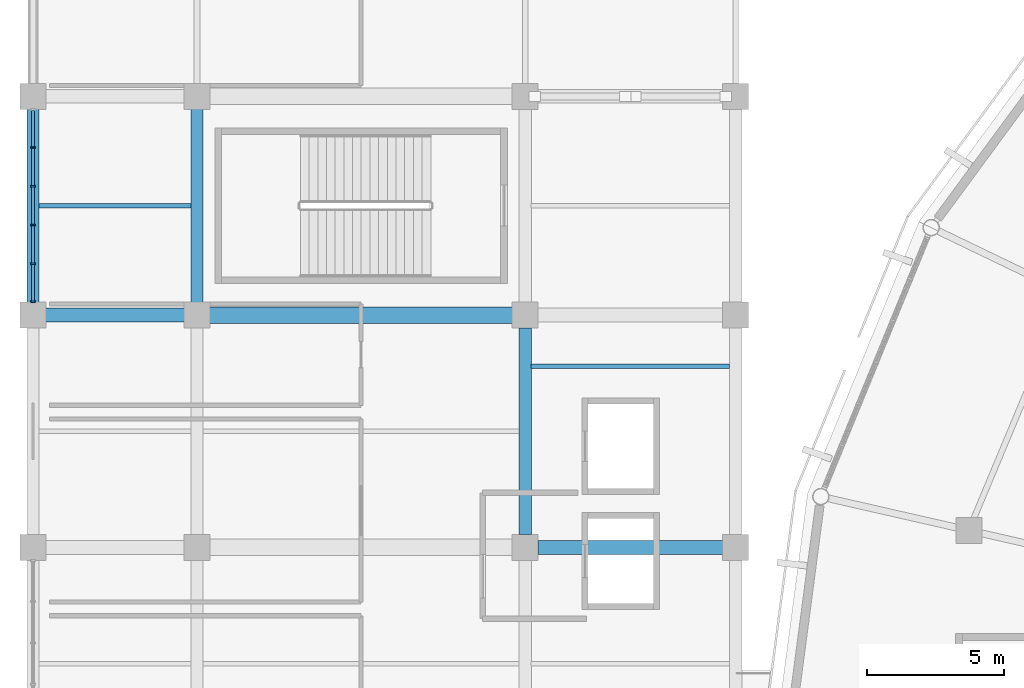
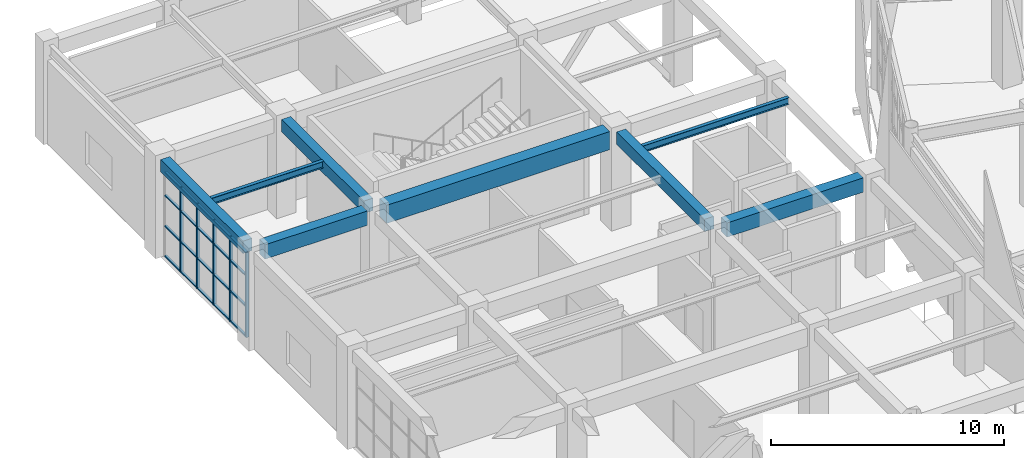
# One storey, part 33 of 120: 25 members, 8 beams, 1 element without a shape of its own.
"""IFC4 building model written with IfcOpenShell, lengths in metres."""

from ifc_helpers import new_model, si_unit, direction, frame, origin, origin_2d, place, context, subcontext, project, spatial, rectangle, i_section, extrude, material, material_profile, profile_set, type_object, element, aggregate, save


model = new_model("IFC4")

# Units and contexts
model_context = context("Model", 3, precision=1e-05, world=origin(), true_north=direction((0.0, 1.0)))
body_context = subcontext(model_context, "Body", "Model", "MODEL_VIEW")
ifc_project = project(units=[si_unit("LENGTHUNIT", "METRE"), si_unit("AREAUNIT", "SQUARE_METRE"), si_unit("VOLUMEUNIT", "CUBIC_METRE"), si_unit("PLANEANGLEUNIT", "RADIAN"), si_unit("MASSUNIT", "GRAM", prefix="KILO")], contexts=[model_context])

# Site, building, storey
site_placement = place(None, origin())
site = spatial("IfcSite", under=ifc_project, at=site_placement, CompositionType="ELEMENT")
building_placement = place(site_placement, origin())
building = spatial("IfcBuilding", under=site, at=building_placement, Name="Cuetzalor Civic Arena", CompositionType="ELEMENT")
storey_placement = place(building_placement, frame((0.0, 0.0, 6.0)))
storey = spatial("IfcBuildingStorey", under=building, at=storey_placement, Name="L01", CompositionType="ELEMENT", Elevation=6.0)

# Beams
ifc_material_1 = material(Name="Concrete C40/50", Category="concrete")
ifc_material_profile_1 = material_profile(ifc_material_1, rectangle(XDim=0.5, YDim=0.75, at=origin_2d()), Name="RC 500x750")
ifc_profile_set_1 = profile_set([ifc_material_profile_1], Name="Concrete C40/50")
beam_type_1 = type_object("IfcBeamType", Name="ConcreteFrameBeam_500x750", PredefinedType="BEAM", material=ifc_profile_set_1)
beam_1_placement = place(storey_placement, frame((-63.534912109375, 8.5, 4.7451171875), z_axis=(1.0, 0.0, 0.0), x_axis=(0.0, 1.0, 0.0)))
element("IfcBeam", 1, at=beam_1_placement, inside=storey, type_object=beam_type_1, Name="Frame Girder V4W-L01-X0371", PredefinedType="BEAM", context=body_context, shape_type="SweptSolid", body=[
    extrude(rectangle(XDim=0.5, YDim=0.75, at=origin_2d()), origin(), (0.0, 0.0, 1.0), 6.77001953125),
])
beam_2_placement = place(storey_placement, frame((-81.534912109375, 17.0, 4.7451171875), z_axis=(1.0, 0.0, 0.0), x_axis=(0.0, 1.0, 0.0)))
element("IfcBeam", 2, at=beam_2_placement, inside=storey, type_object=beam_type_1, Name="Frame Girder V4W-L01-X0372", PredefinedType="BEAM", context=body_context, shape_type="SweptSolid", body=[
    extrude(rectangle(XDim=0.5, YDim=0.75, at=origin_2d()), origin(), (0.0, 0.0, 1.0), 5.06982421875),
])
ifc_material_2 = material(Name="Concrete C40/50", Category="concrete")
ifc_material_profile_2 = material_profile(ifc_material_2, rectangle(XDim=0.60009765625, YDim=0.949951171875, at=origin_2d()), Name="RC 600x950")
ifc_profile_set_2 = profile_set([ifc_material_profile_2], Name="Concrete C40/50")
beam_type_2 = type_object("IfcBeamType", Name="ConcreteFrameBeam_600x950", PredefinedType="BEAM", material=ifc_profile_set_2)
beam_3_placement = place(storey_placement, frame((-75.534912109375, 17.0, 4.64501953125), z_axis=(1.0, 0.0, 0.0), x_axis=(0.0, 1.0, 0.0)))
element("IfcBeam", 3, at=beam_3_placement, inside=storey, type_object=beam_type_2, Name="Frame Girder V4W-L01-X0373", PredefinedType="BEAM", context=body_context, shape_type="SweptSolid", body=[
    extrude(rectangle(XDim=0.60009765625, YDim=0.949951171875, at=origin_2d()), origin(), (0.0, 0.0, 1.0), 11.06982421875),
])
ifc_material_3 = material(Name="Concrete C40/50", Category="concrete")
ifc_material_profile_3 = material_profile(ifc_material_3, rectangle(XDim=0.449951171875, YDim=0.64990234375, at=origin_2d()), Name="RC 450x650")
ifc_profile_set_3 = profile_set([ifc_material_profile_3], Name="Concrete C40/50")
beam_type_3 = type_object("IfcBeamType", Name="ConcreteTieBeam_450x650", PredefinedType="BEAM", material=ifc_profile_set_3)
for number, where, z_axis, x_axis, name in (
    (4, (-82.0, 17.465087890625, 4.794921875), (0.0, 1.0, 0.0), (-1.0, 0.0, 0.0), "Frame Girder V4W-L01-Y0389"),
    (5, (-76.0, 17.465087890625, 4.794921875), (0.0, 1.0, 0.0), (-1.0, 0.0, 0.0), "Frame Girder V4W-L01-Y0399"),
):
    element("IfcBeam", number, at=place(storey_placement, frame(where, z_axis=z_axis, x_axis=x_axis)), inside=storey, type_object=beam_type_3, Name=name, PredefinedType="BEAM", context=body_context, shape_type="SweptSolid", body=[
        extrude(rectangle(XDim=0.449951171875, YDim=0.64990234375, at=origin_2d()), origin(), (0.0, 0.0, 1.0), 7.06982421875),
    ])
beam_4_placement = place(storey_placement, frame((-64.0, 8.965087890625, 4.794921875), z_axis=(0.0, 1.0, 0.0), x_axis=(-1.0, 0.0, 0.0)))
element("IfcBeam", 6, at=beam_4_placement, inside=storey, type_object=beam_type_3, Name="Frame Girder V4W-L01-Y0408", PredefinedType="BEAM", context=body_context, shape_type="SweptSolid", body=[
    extrude(rectangle(XDim=0.449951171875, YDim=0.64990234375, at=origin_2d()), origin(), (0.0, 0.0, 1.0), 7.56982421875),
])

# Curtain wall, members
ifc_material_4 = material(Name="Anodised dark bronze aluminium and low-E solar glass", Category="aluminium")
curtain_wall_type = type_object("IfcCurtainWallType", Name="UnitisedCW_7100x4450", PredefinedType="USERDEFINED", material=ifc_material_4)
curtain_wall_placement = place(storey_placement, origin())
curtain_wall = element("IfcCurtainWall", 7, at=curtain_wall_placement, inside=storey, type_object=curtain_wall_type, Name="V4W Suite Viewing Curtain Wall L01-112", ObjectType="UNITISED CURTAIN WALL", PredefinedType="USERDEFINED")
ifc_material_5 = material(Name="Anodised dark bronze aluminium", Category="aluminium")
ifc_material_profile_4 = material_profile(ifc_material_5, rectangle(XDim=0.06494140625, YDim=0.14990234375, at=origin_2d()), Name="ALU MULLION 65x150")
ifc_profile_set_4 = profile_set([ifc_material_profile_4], Name="Anodised dark bronze aluminium")
member_type_1 = type_object("IfcMemberType", Name="CurtainWallMullion_60x150", PredefinedType="MULLION", material=ifc_profile_set_4)
member_1_placement = place(storey_placement, frame((-82.0, 17.489501953125, 0.0), z_axis=(0.0, 0.0, 1.0), x_axis=(0.0, 1.0, 0.0)))
member_1 = element("IfcMember", 8, at=member_1_placement, type_object=member_type_1, Name="CW-39 mullion 1", PredefinedType="MULLION", context=body_context, shape_type="SweptSolid", body=[
    extrude(rectangle(XDim=0.06494140625, YDim=0.14990234375, at=origin_2d()), origin(), (0.0, 0.0, 1.0), 4.4599609375),
])
member_2_placement = place(storey_placement, frame((-82.0, 18.874267578125, 0.0), z_axis=(0.0, 0.0, 1.0), x_axis=(0.0, 1.0, 0.0)))
member_2 = element("IfcMember", 9, at=member_2_placement, type_object=member_type_1, Name="CW-39 mullion 2", PredefinedType="MULLION", context=body_context, shape_type="SweptSolid", body=[
    extrude(rectangle(XDim=0.06494140625, YDim=0.14990234375, at=origin_2d()), origin(), (0.0, 0.0, 1.0), 4.4599609375),
])
member_3_placement = place(storey_placement, frame((-82.0, 20.29150390625, 0.0), z_axis=(0.0, 0.0, 1.0), x_axis=(0.0, 1.0, 0.0)))
member_3 = element("IfcMember", 10, at=member_3_placement, type_object=member_type_1, Name="CW-39 mullion 3", PredefinedType="MULLION", context=body_context, shape_type="SweptSolid", body=[
    extrude(rectangle(XDim=0.06494140625, YDim=0.14990234375, at=origin_2d()), origin(), (0.0, 0.0, 1.0), 4.4599609375),
])
member_4_placement = place(storey_placement, frame((-82.0, 21.70849609375, 0.0), z_axis=(0.0, 0.0, 1.0), x_axis=(0.0, 1.0, 0.0)))
member_4 = element("IfcMember", 11, at=member_4_placement, type_object=member_type_1, Name="CW-39 mullion 4", PredefinedType="MULLION", context=body_context, shape_type="SweptSolid", body=[
    extrude(rectangle(XDim=0.06494140625, YDim=0.14990234375, at=origin_2d()), origin(), (0.0, 0.0, 1.0), 4.4599609375),
])
member_5_placement = place(storey_placement, frame((-82.0, 23.125732421875, 0.0), z_axis=(0.0, 0.0, 1.0), x_axis=(0.0, 1.0, 0.0)))
member_5 = element("IfcMember", 12, at=member_5_placement, type_object=member_type_1, Name="CW-39 mullion 5", PredefinedType="MULLION", context=body_context, shape_type="SweptSolid", body=[
    extrude(rectangle(XDim=0.06494140625, YDim=0.14990234375, at=origin_2d()), origin(), (0.0, 0.0, 1.0), 4.4599609375),
])
ifc_material_6 = material(Name="Anodised dark bronze aluminium", Category="aluminium")
ifc_material_profile_5 = material_profile(ifc_material_6, rectangle(XDim=0.1201171875, YDim=0.06494140625, at=origin_2d()), Name="ALU TRANSOM 65x120")
ifc_profile_set_5 = profile_set([ifc_material_profile_5], Name="Anodised dark bronze aluminium")
member_type_2 = type_object("IfcMemberType", Name="CurtainWallTransom_60x120", PredefinedType="USERDEFINED", material=ifc_profile_set_5)
member_6_placement = place(storey_placement, frame((-82.0, 17.52197265625, 0.032470703125), z_axis=(0.0, 1.0, 0.0), x_axis=(-1.0, 0.0, 0.0)))
member_6 = element("IfcMember", 13, at=member_6_placement, type_object=member_type_2, Name="CW-39 transom 1.1", ObjectType="TRANSOM", PredefinedType="USERDEFINED", context=body_context, shape_type="SweptSolid", body=[
    extrude(rectangle(XDim=0.1201171875, YDim=0.06494140625, at=origin_2d()), origin(), (0.0, 0.0, 1.0), 1.31982421875),
])
member_7_placement = place(storey_placement, frame((-82.0, 17.52197265625, 1.60595703125), z_axis=(0.0, 1.0, 0.0), x_axis=(-1.0, 0.0, 0.0)))
member_7 = element("IfcMember", 14, at=member_7_placement, type_object=member_type_2, Name="CW-39 transom 1.2", ObjectType="TRANSOM", PredefinedType="USERDEFINED", context=body_context, shape_type="SweptSolid", body=[
    extrude(rectangle(XDim=0.1201171875, YDim=0.06494140625, at=origin_2d()), origin(), (0.0, 0.0, 1.0), 1.31982421875),
])
member_8_placement = place(storey_placement, frame((-82.0, 17.52197265625, 3.2109375), z_axis=(0.0, 1.0, 0.0), x_axis=(-1.0, 0.0, 0.0)))
member_8 = element("IfcMember", 15, at=member_8_placement, type_object=member_type_2, Name="CW-39 transom 1.3", ObjectType="TRANSOM", PredefinedType="USERDEFINED", context=body_context, shape_type="SweptSolid", body=[
    extrude(rectangle(XDim=0.1201171875, YDim=0.06494140625, at=origin_2d()), origin(), (0.0, 0.0, 1.0), 1.31982421875),
])
member_9_placement = place(storey_placement, frame((-82.0, 17.52197265625, 4.427490234375), z_axis=(0.0, 1.0, 0.0), x_axis=(-1.0, 0.0, 0.0)))
member_9 = element("IfcMember", 16, at=member_9_placement, type_object=member_type_2, Name="CW-39 transom 1.4", ObjectType="TRANSOM", PredefinedType="USERDEFINED", context=body_context, shape_type="SweptSolid", body=[
    extrude(rectangle(XDim=0.1201171875, YDim=0.06494140625, at=origin_2d()), origin(), (0.0, 0.0, 1.0), 1.31982421875),
])
member_10_placement = place(storey_placement, frame((-82.0, 18.90673828125, 0.032470703125), z_axis=(0.0, 1.0, 0.0), x_axis=(-1.0, 0.0, 0.0)))
member_10 = element("IfcMember", 17, at=member_10_placement, type_object=member_type_2, Name="CW-39 transom 2.1", ObjectType="TRANSOM", PredefinedType="USERDEFINED", context=body_context, shape_type="SweptSolid", body=[
    extrude(rectangle(XDim=0.1201171875, YDim=0.06494140625, at=origin_2d()), origin(), (0.0, 0.0, 1.0), 1.35205078125),
])
member_11_placement = place(storey_placement, frame((-82.0, 18.90673828125, 1.60595703125), z_axis=(0.0, 1.0, 0.0), x_axis=(-1.0, 0.0, 0.0)))
member_11 = element("IfcMember", 18, at=member_11_placement, type_object=member_type_2, Name="CW-39 transom 2.2", ObjectType="TRANSOM", PredefinedType="USERDEFINED", context=body_context, shape_type="SweptSolid", body=[
    extrude(rectangle(XDim=0.1201171875, YDim=0.06494140625, at=origin_2d()), origin(), (0.0, 0.0, 1.0), 1.35205078125),
])
member_12_placement = place(storey_placement, frame((-82.0, 18.90673828125, 3.2109375), z_axis=(0.0, 1.0, 0.0), x_axis=(-1.0, 0.0, 0.0)))
member_12 = element("IfcMember", 19, at=member_12_placement, type_object=member_type_2, Name="CW-39 transom 2.3", ObjectType="TRANSOM", PredefinedType="USERDEFINED", context=body_context, shape_type="SweptSolid", body=[
    extrude(rectangle(XDim=0.1201171875, YDim=0.06494140625, at=origin_2d()), origin(), (0.0, 0.0, 1.0), 1.35205078125),
])
member_13_placement = place(storey_placement, frame((-82.0, 18.90673828125, 4.427490234375), z_axis=(0.0, 1.0, 0.0), x_axis=(-1.0, 0.0, 0.0)))
member_13 = element("IfcMember", 20, at=member_13_placement, type_object=member_type_2, Name="CW-39 transom 2.4", ObjectType="TRANSOM", PredefinedType="USERDEFINED", context=body_context, shape_type="SweptSolid", body=[
    extrude(rectangle(XDim=0.1201171875, YDim=0.06494140625, at=origin_2d()), origin(), (0.0, 0.0, 1.0), 1.35205078125),
])
member_14_placement = place(storey_placement, frame((-82.0, 20.323974609375, 0.032470703125), z_axis=(0.0, 1.0, 0.0), x_axis=(-1.0, 0.0, 0.0)))
member_14 = element("IfcMember", 21, at=member_14_placement, type_object=member_type_2, Name="CW-39 transom 3.1", ObjectType="TRANSOM", PredefinedType="USERDEFINED", context=body_context, shape_type="SweptSolid", body=[
    extrude(rectangle(XDim=0.1201171875, YDim=0.06494140625, at=origin_2d()), origin(), (0.0, 0.0, 1.0), 1.35205078125),
])
member_15_placement = place(storey_placement, frame((-82.0, 20.323974609375, 1.60595703125), z_axis=(0.0, 1.0, 0.0), x_axis=(-1.0, 0.0, 0.0)))
member_15 = element("IfcMember", 22, at=member_15_placement, type_object=member_type_2, Name="CW-39 transom 3.2", ObjectType="TRANSOM", PredefinedType="USERDEFINED", context=body_context, shape_type="SweptSolid", body=[
    extrude(rectangle(XDim=0.1201171875, YDim=0.06494140625, at=origin_2d()), origin(), (0.0, 0.0, 1.0), 1.35205078125),
])
member_16_placement = place(storey_placement, frame((-82.0, 20.323974609375, 3.2109375), z_axis=(0.0, 1.0, 0.0), x_axis=(-1.0, 0.0, 0.0)))
member_16 = element("IfcMember", 23, at=member_16_placement, type_object=member_type_2, Name="CW-39 transom 3.3", ObjectType="TRANSOM", PredefinedType="USERDEFINED", context=body_context, shape_type="SweptSolid", body=[
    extrude(rectangle(XDim=0.1201171875, YDim=0.06494140625, at=origin_2d()), origin(), (0.0, 0.0, 1.0), 1.35205078125),
])
member_17_placement = place(storey_placement, frame((-82.0, 20.323974609375, 4.427490234375), z_axis=(0.0, 1.0, 0.0), x_axis=(-1.0, 0.0, 0.0)))
member_17 = element("IfcMember", 24, at=member_17_placement, type_object=member_type_2, Name="CW-39 transom 3.4", ObjectType="TRANSOM", PredefinedType="USERDEFINED", context=body_context, shape_type="SweptSolid", body=[
    extrude(rectangle(XDim=0.1201171875, YDim=0.06494140625, at=origin_2d()), origin(), (0.0, 0.0, 1.0), 1.35205078125),
])
member_18_placement = place(storey_placement, frame((-82.0, 21.7412109375, 0.032470703125), z_axis=(0.0, 1.0, 0.0), x_axis=(-1.0, 0.0, 0.0)))
member_18 = element("IfcMember", 25, at=member_18_placement, type_object=member_type_2, Name="CW-39 transom 4.1", ObjectType="TRANSOM", PredefinedType="USERDEFINED", context=body_context, shape_type="SweptSolid", body=[
    extrude(rectangle(XDim=0.1201171875, YDim=0.06494140625, at=origin_2d()), origin(), (0.0, 0.0, 1.0), 1.35205078125),
])
member_19_placement = place(storey_placement, frame((-82.0, 21.7412109375, 1.60595703125), z_axis=(0.0, 1.0, 0.0), x_axis=(-1.0, 0.0, 0.0)))
member_19 = element("IfcMember", 26, at=member_19_placement, type_object=member_type_2, Name="CW-39 transom 4.2", ObjectType="TRANSOM", PredefinedType="USERDEFINED", context=body_context, shape_type="SweptSolid", body=[
    extrude(rectangle(XDim=0.1201171875, YDim=0.06494140625, at=origin_2d()), origin(), (0.0, 0.0, 1.0), 1.35205078125),
])
member_20_placement = place(storey_placement, frame((-82.0, 21.7412109375, 3.2109375), z_axis=(0.0, 1.0, 0.0), x_axis=(-1.0, 0.0, 0.0)))
member_20 = element("IfcMember", 27, at=member_20_placement, type_object=member_type_2, Name="CW-39 transom 4.3", ObjectType="TRANSOM", PredefinedType="USERDEFINED", context=body_context, shape_type="SweptSolid", body=[
    extrude(rectangle(XDim=0.1201171875, YDim=0.06494140625, at=origin_2d()), origin(), (0.0, 0.0, 1.0), 1.35205078125),
])
member_21_placement = place(storey_placement, frame((-82.0, 21.7412109375, 4.427490234375), z_axis=(0.0, 1.0, 0.0), x_axis=(-1.0, 0.0, 0.0)))
member_21 = element("IfcMember", 28, at=member_21_placement, type_object=member_type_2, Name="CW-39 transom 4.4", ObjectType="TRANSOM", PredefinedType="USERDEFINED", context=body_context, shape_type="SweptSolid", body=[
    extrude(rectangle(XDim=0.1201171875, YDim=0.06494140625, at=origin_2d()), origin(), (0.0, 0.0, 1.0), 1.35205078125),
])
member_22_placement = place(storey_placement, frame((-82.0, 23.158203125, 0.032470703125), z_axis=(0.0, 1.0, 0.0), x_axis=(-1.0, 0.0, 0.0)))
member_22 = element("IfcMember", 29, at=member_22_placement, type_object=member_type_2, Name="CW-39 transom 5.1", ObjectType="TRANSOM", PredefinedType="USERDEFINED", context=body_context, shape_type="SweptSolid", body=[
    extrude(rectangle(XDim=0.1201171875, YDim=0.06494140625, at=origin_2d()), origin(), (0.0, 0.0, 1.0), 1.31982421875),
])
member_23_placement = place(storey_placement, frame((-82.0, 23.158203125, 1.60595703125), z_axis=(0.0, 1.0, 0.0), x_axis=(-1.0, 0.0, 0.0)))
member_23 = element("IfcMember", 30, at=member_23_placement, type_object=member_type_2, Name="CW-39 transom 5.2", ObjectType="TRANSOM", PredefinedType="USERDEFINED", context=body_context, shape_type="SweptSolid", body=[
    extrude(rectangle(XDim=0.1201171875, YDim=0.06494140625, at=origin_2d()), origin(), (0.0, 0.0, 1.0), 1.31982421875),
])
member_24_placement = place(storey_placement, frame((-82.0, 23.158203125, 3.2109375), z_axis=(0.0, 1.0, 0.0), x_axis=(-1.0, 0.0, 0.0)))
member_24 = element("IfcMember", 31, at=member_24_placement, type_object=member_type_2, Name="CW-39 transom 5.3", ObjectType="TRANSOM", PredefinedType="USERDEFINED", context=body_context, shape_type="SweptSolid", body=[
    extrude(rectangle(XDim=0.1201171875, YDim=0.06494140625, at=origin_2d()), origin(), (0.0, 0.0, 1.0), 1.31982421875),
])
member_25_placement = place(storey_placement, frame((-82.0, 23.158203125, 4.427490234375), z_axis=(0.0, 1.0, 0.0), x_axis=(-1.0, 0.0, 0.0)))
member_25 = element("IfcMember", 32, at=member_25_placement, type_object=member_type_2, Name="CW-39 transom 5.4", ObjectType="TRANSOM", PredefinedType="USERDEFINED", context=body_context, shape_type="SweptSolid", body=[
    extrude(rectangle(XDim=0.1201171875, YDim=0.06494140625, at=origin_2d()), origin(), (0.0, 0.0, 1.0), 1.31982421875),
])
aggregate(curtain_wall, [member_1, member_2, member_3, member_4, member_5, member_6, member_7, member_8, member_9, member_10, member_11, member_12, member_13, member_14, member_15, member_16, member_17, member_18, member_19, member_20, member_21, member_22, member_23, member_24, member_25])

# Beams
ifc_material_7 = material(Name="Steel S355", Category="steel")
ifc_material_profile_6 = material_profile(ifc_material_7, i_section(OverallWidth=0.1708984375, OverallDepth=0.35498046875, WebThickness=0.007080078125, FlangeThickness=0.01171875, at=origin_2d()), Name="W360x51")
ifc_profile_set_6 = profile_set([ifc_material_profile_6], Name="Steel S355")
beam_type_4 = type_object("IfcBeamType", Name="SecondaryFloorJoist_W360", PredefinedType="JOIST", material=ifc_profile_set_6)
beam_5_placement = place(storey_placement, frame((-81.782958984375, 21.0, 4.9423828125), z_axis=(1.0, 0.0, 0.0), x_axis=(0.0, 1.0, 0.0)))
element("IfcBeam", 33, at=beam_5_placement, inside=storey, type_object=beam_type_4, Name="Secondary Floor Joist V4W-L01-0113", PredefinedType="JOIST", context=body_context, shape_type="SweptSolid", body=[
    extrude(i_section(OverallWidth=0.1708984375, OverallDepth=0.35498046875, WebThickness=0.007080078125, FlangeThickness=0.01171875, at=origin_2d()), origin(), (0.0, 0.0, 1.0), 5.56591796875),
])
beam_6_placement = place(storey_placement, frame((-63.782958984375, 15.1298828125, 4.9423828125), z_axis=(1.0, 0.0, 0.0), x_axis=(0.0, 1.0, 0.0)))
element("IfcBeam", 34, at=beam_6_placement, inside=storey, type_object=beam_type_4, Name="Secondary Floor Joist V4W-L01-0128", PredefinedType="JOIST", context=body_context, shape_type="SweptSolid", body=[
    extrude(i_section(OverallWidth=0.1708984375, OverallDepth=0.35498046875, WebThickness=0.007080078125, FlangeThickness=0.01171875, at=origin_2d()), origin(), (0.0, 0.0, 1.0), 7.265869140625),
])

save(model, "model.ifc")
